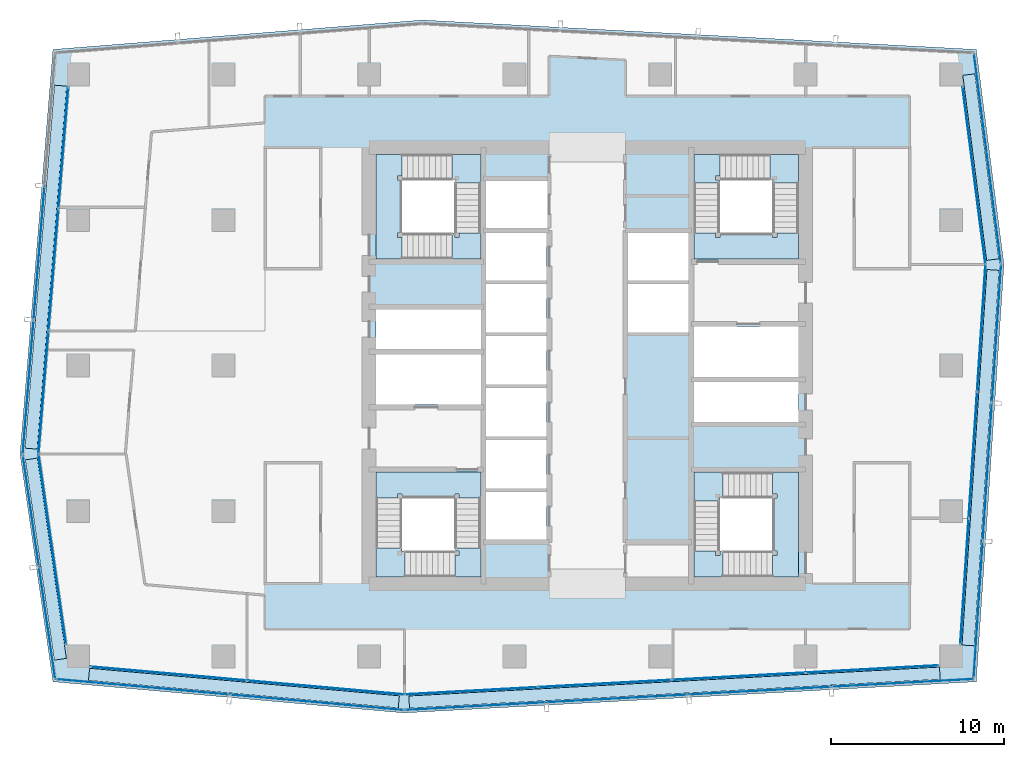
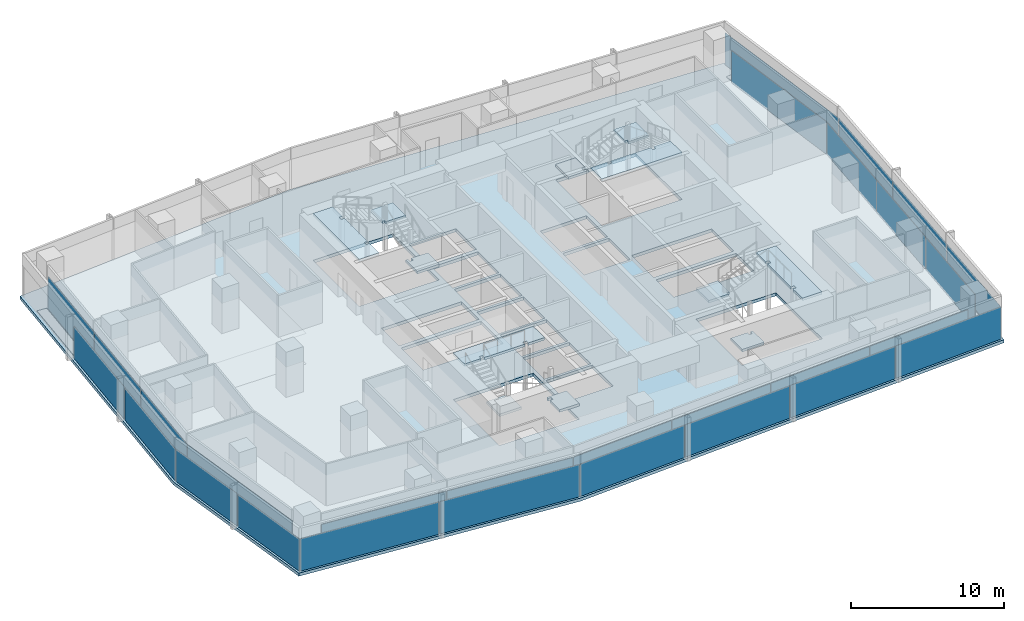
# One storey, part 21 of 29: 34 plates, 13 slabs, 16 elements without a shape of their own.
"""IFC4 building model written with IfcOpenShell, lengths in metres."""

import ifcopenshell
import ifcopenshell.guid

model = None  # the IFC model being written
_history = None  # IfcOwnerHistory: only IFC2X3 demands one
_inside = {}  # id of a spatial element -> (the spatial element, [elements in it])
_under = {}  # id of a project, library or spatial element -> (it, [spatial elements below it])
_declared = {}  # id of a project -> (the project, [libraries it declares])
_typed = {}  # id of a type object -> (the type object, [elements of that type])
_made_of = {}  # id of a material, layer set ... -> (it, [elements and type objects made of it])


def new_model(schema):
    """Start an empty IFC model of exactly this schema.

    Asked for "IFC4X3", IfcOpenShell would pick the latest addendum, in which some entities
    have other attributes; the version numbers below select the first issue.
    IFC2X3 requires an IfcOwnerHistory on every rooted entity: one is made here for all.
    """
    global model, _history
    if schema == "IFC4X3":
        model = ifcopenshell.file(schema_version=(4, 3, 0, 0))
    else:
        model = ifcopenshell.file(schema=schema)
    _inside.clear()
    _under.clear()
    _declared.clear()
    _typed.clear()
    _made_of.clear()
    _history = None
    if model.schema == "IFC2X3":
        org = make("IfcOrganization", Name="unknown")
        user = make(
            "IfcPersonAndOrganization",
            ThePerson=make("IfcPerson", FamilyName="unknown"),
            TheOrganization=org,
        )
        app = make(
            "IfcApplication",
            ApplicationDeveloper=org,
            Version="unknown",
            ApplicationFullName="unknown",
            ApplicationIdentifier="unknown",
        )
        _history = make(
            "IfcOwnerHistory",
            OwningUser=user,
            OwningApplication=app,
            ChangeAction="ADDED",
            CreationDate=0,
        )
    return model


def make(cls, **values):
    """One entity of the class cls with the attributes given. An attribute that is None is left unset."""
    return model.create_entity(
        cls, **{name: value for name, value in values.items() if value is not None}
    )


def rooted(cls, **values):
    """An entity with a GlobalId (a new one), such as an element, a storey or a relation."""
    return make(cls, GlobalId=ifcopenshell.guid.new(), OwnerHistory=_history, **values)


def si_unit(unit_type, name, prefix=None):
    """IfcSIUnit, for example si_unit("LENGTHUNIT", "METRE", prefix="MILLI")."""
    return make("IfcSIUnit", UnitType=unit_type, Prefix=prefix, Name=name)


def assignment(units):
    """IfcUnitAssignment: the units of a project."""
    return None if units is None else make("IfcUnitAssignment", Units=units)


def point(xyz):
    """IfcCartesianPoint."""
    return None if xyz is None else make("IfcCartesianPoint", Coordinates=xyz)


def direction(xyz):
    """IfcDirection."""
    return None if xyz is None else make("IfcDirection", DirectionRatios=xyz)


def frame(location, z_axis=None, x_axis=None):
    """IfcAxis2Placement3D, a coordinate frame: its origin and axes. An axis left out is left unset."""
    return make(
        "IfcAxis2Placement3D",
        Location=point(location),
        Axis=direction(z_axis),
        RefDirection=direction(x_axis),
    )


def frame_2d(location, x_axis=None):
    """IfcAxis2Placement2D, a coordinate frame in the plane: its origin and x axis."""
    return make(
        "IfcAxis2Placement2D", Location=point(location), RefDirection=direction(x_axis)
    )


def origin():
    """The frame at (0, 0, 0) with its axes left unset."""
    return frame((0.0, 0.0, 0.0))


def origin_2d():
    """The frame at (0, 0) in the plane with its x axis left unset."""
    return frame_2d((0.0, 0.0))


def place(relative_to, where):
    """IfcLocalPlacement: puts the frame where relative to a parent placement (None: the world)."""
    return make(
        "IfcLocalPlacement", PlacementRelTo=relative_to, RelativePlacement=where
    )


def context(
    kind, dimensions, precision=None, world=None, true_north=None, identifier=None
):
    """IfcGeometricRepresentationContext, for example the 3D "Model" context."""
    return make(
        "IfcGeometricRepresentationContext",
        ContextIdentifier=identifier,
        ContextType=kind,
        CoordinateSpaceDimension=dimensions,
        Precision=precision,
        WorldCoordinateSystem=world,
        TrueNorth=true_north,
    )


def subcontext(parent, identifier, kind, view, scale=None):
    """IfcGeometricRepresentationSubContext, for example "Body" below "Model"."""
    return make(
        "IfcGeometricRepresentationSubContext",
        ContextIdentifier=identifier,
        ContextType=kind,
        ParentContext=parent,
        TargetScale=scale,
        TargetView=view,
    )


def project(units=None, contexts=None):
    """IfcProject with its units and contexts."""
    return rooted(
        "IfcProject",
        Name="project",
        RepresentationContexts=contexts,
        UnitsInContext=assignment(units),
    )


def spatial(cls, under=None, at=None, **own):
    """A site, building, storey or space (cls), placed at a placement, below another one or the project."""
    s = rooted(cls, ObjectPlacement=at, **own)
    if under is not None:
        _under.setdefault(under.id(), (under, []))[1].append(s)
    return s


def polyline(points):
    """IfcPolyline through the points."""
    return make("IfcPolyline", Points=[point(p) for p in points])


def profile(cls, at=None, kind="AREA", **sizes):
    """A parametric profile (cls). Its sizes go by their IFC names, for example OverallWidth=200.0."""
    return make(cls, ProfileType=kind, Position=at, **sizes)


def rectangle(**sizes):
    """IfcRectangleProfileDef."""
    return profile("IfcRectangleProfileDef", **sizes)


def outline(outer, holes=None, kind="AREA"):
    """IfcArbitraryClosedProfileDef: a profile drawn as a closed curve; with holes, ...WithVoids."""
    if holes is None:
        return make("IfcArbitraryClosedProfileDef", ProfileType=kind, OuterCurve=outer)
    return make(
        "IfcArbitraryProfileDefWithVoids",
        ProfileType=kind,
        OuterCurve=outer,
        InnerCurves=holes,
    )


def extrude(swept, where, along, depth):
    """IfcExtrudedAreaSolid: the profile swept, set in the frame where, extruded along a direction by depth."""
    return make(
        "IfcExtrudedAreaSolid",
        SweptArea=swept,
        Position=where,
        ExtrudedDirection=direction(along),
        Depth=depth,
    )


def shape(context_of_items, identifier, shape_type, items):
    """IfcShapeRepresentation: the items that make up one representation, for example the "Body"."""
    return make(
        "IfcShapeRepresentation",
        ContextOfItems=context_of_items,
        RepresentationIdentifier=identifier,
        RepresentationType=shape_type,
        Items=items,
    )


def material(Name=None, Category=None):
    """IfcMaterial."""
    return make("IfcMaterial", Name=Name, Category=Category)


def layer(
    of_material, thickness, ventilated=None, Name=None, Category=None, Priority=None
):
    """IfcMaterialLayer: one layer of a wall or slab, of a material (None: an air gap)."""
    return make(
        "IfcMaterialLayer",
        Material=of_material,
        LayerThickness=thickness,
        IsVentilated=ventilated,
        Name=Name,
        Category=Category,
        Priority=Priority,
    )


def layer_set(layers, Name=None):
    """IfcMaterialLayerSet."""
    return make("IfcMaterialLayerSet", MaterialLayers=layers, LayerSetName=Name)


def made_of(thing, what):
    """Note that an element or type object is made of a material, layer set ...; save() writes the relation."""
    if what is not None:
        _made_of.setdefault(what.id(), (what, []))[1].append(thing)
    return thing


def type_object(cls, material=None, **own):
    """A type object (cls), such as IfcWallType, which elements share."""
    return made_of(rooted(cls, **own), material)


def element(
    cls,
    number,
    at=None,
    inside=None,
    cuts=None,
    type_object=None,
    material=None,
    context=None,
    identifier="Body",
    shape_type=None,
    held_by="IfcProductDefinitionShape",
    body=None,
    shapes=None,
    **own,
):
    """One element of the class cls, such as IfcWall. Its Tag is "e" and its number.

    at: its placement. inside: the storey or other place that contains it. cuts: it is an
    opening in that element (IfcRelVoidsElement). A single representation is given by context,
    identifier, shape_type and body (its items); several are given by shapes. held_by: the class
    of the entity that holds the representations. save() writes the other relations.
    """
    e = rooted(cls, Tag="e%d" % number, ObjectPlacement=at, **own)
    if body is not None:
        shapes = [shape(context, identifier, shape_type, body)]
    if shapes is not None:
        e.Representation = make(held_by, Representations=shapes)
    if inside is not None:
        _inside.setdefault(inside.id(), (inside, []))[1].append(e)
    if cuts is not None:
        rooted(
            "IfcRelVoidsElement", RelatingBuildingElement=cuts, RelatedOpeningElement=e
        )
    if type_object is not None:
        _typed.setdefault(type_object.id(), (type_object, []))[1].append(e)
    return made_of(e, material)


def aggregate(whole, parts):
    """IfcRelAggregates: a whole, such as a stair, and the parts it consists of."""
    return rooted("IfcRelAggregates", RelatingObject=whole, RelatedObjects=parts)


def save(model, path):
    """Write the relations noted so far, then the file.

    IfcRelAggregates (storeys below a building ...), IfcRelContainedInSpatialStructure (elements
    in a storey), IfcRelDefinesByType, IfcRelAssociatesMaterial and IfcRelDeclares: one each for
    every whole, place, type object, material and project.
    """
    for whole, parts in _under.values():
        aggregate(whole, parts)
    for where, things in _inside.values():
        rooted(
            "IfcRelContainedInSpatialStructure",
            RelatedElements=things,
            RelatingStructure=where,
        )
    for kind, things in _typed.values():
        rooted("IfcRelDefinesByType", RelatedObjects=things, RelatingType=kind)
    for what, things in _made_of.values():
        rooted("IfcRelAssociatesMaterial", RelatedObjects=things, RelatingMaterial=what)
    for by, libraries in _declared.values():
        rooted("IfcRelDeclares", RelatingContext=by, RelatedDefinitions=libraries)
    model.write(path)


model = new_model("IFC4")

# Units and contexts
model_context = context("Model", 3, precision=1e-05, world=origin(), true_north=direction((0.0, 1.0)))
body_context = subcontext(model_context, "Body", "Model", "MODEL_VIEW")
ifc_project = project(units=[si_unit("LENGTHUNIT", "METRE"), si_unit("AREAUNIT", "SQUARE_METRE"), si_unit("VOLUMEUNIT", "CUBIC_METRE"), si_unit("PLANEANGLEUNIT", "RADIAN"), si_unit("MASSUNIT", "GRAM", prefix="KILO")], contexts=[model_context])

# Site, building, storey
site_placement = place(None, origin())
site = spatial("IfcSite", under=ifc_project, at=site_placement, CompositionType="ELEMENT")
building_placement = place(site_placement, origin())
building = spatial("IfcBuilding", under=site, at=building_placement, Name="Rekha Terrace Tower", CompositionType="ELEMENT")
storey_placement = place(building_placement, frame((0.0, 0.0, 257.60009765625)))
storey = spatial("IfcBuildingStorey", under=building, at=storey_placement, Name="L65", CompositionType="ELEMENT", Elevation=257.60009765625)

# Curtain wall, plates
ifc_material_1 = material(Name="Aluminium framing", Category="aluminium")
curtain_wall_type_1 = type_object("IfcCurtainWallType", Name="CW1 double skin inner glazing", PredefinedType="USERDEFINED", material=ifc_material_1)
curtain_wall_1_placement = place(storey_placement, origin())
curtain_wall_1 = element("IfcCurtainWall", 1, at=curtain_wall_1_placement, inside=storey, type_object=curtain_wall_type_1, Name="CW1 double skin inner glazing", ObjectType="DOUBLE SKIN INNER GLAZING", PredefinedType="USERDEFINED")
ifc_material_2 = material(Name="Double-glazed low-e unit 32", Category="glass")
ifc_layer_1 = layer(ifc_material_2, 0.031982421875)
ifc_layer_set_1 = layer_set([ifc_layer_1], Name="Double-glazed low-e unit 32")
plate_type_1 = type_object("IfcPlateType", Name="CW1 jumbo vision panel, double-glazed low-e unit 32", PredefinedType="CURTAIN_PANEL", material=ifc_layer_set_1)
plate_1_placement = place(storey_placement, frame((13.62939453125, 15.820556640625, -0.000244140625), z_axis=(0.0, 0.0, 1.0), x_axis=(0.996074182663, -0.088522441405, 0.0)))
plate_1 = element("IfcPlate", 2, at=plate_1_placement, type_object=plate_type_1, Name="CW1 panel 1.1", PredefinedType="CURTAIN_PANEL", context=body_context, shape_type="SweptSolid", body=[
    extrude(rectangle(XDim=9.010986328125, YDim=0.031982421875, at=origin_2d()), origin(), (0.0, 0.0, 1.0), 2.60009765625),
])
plate_2_placement = place(storey_placement, frame((22.701904296875, 15.01416015625, -0.000244140625), z_axis=(0.0, 0.0, 1.0), x_axis=(0.996074182663, -0.088522441405, 0.0)))
plate_2 = element("IfcPlate", 3, at=plate_2_placement, type_object=plate_type_1, Name="CW1 panel 2.1", PredefinedType="CURTAIN_PANEL", context=body_context, shape_type="SweptSolid", body=[
    extrude(rectangle(XDim=9.075927734375, YDim=0.031982421875, at=origin_2d()), origin(), (0.0, 0.0, 1.0), 2.60009765625),
])
aggregate(curtain_wall_1, [plate_1, plate_2])

curtain_wall_2_placement = place(storey_placement, origin())
curtain_wall_2 = element("IfcCurtainWall", 4, at=curtain_wall_2_placement, inside=storey, type_object=curtain_wall_type_1, Name="CW1 double skin inner glazing", ObjectType="DOUBLE SKIN INNER GLAZING", PredefinedType="USERDEFINED")
plate_3_placement = place(storey_placement, frame((31.101318359375, 14.82373046875, -0.000244140625), z_axis=(0.0, 0.0, 1.0), x_axis=(0.998519828159, 0.054388903036, 0.0)))
plate_3 = element("IfcPlate", 5, at=plate_3_placement, type_object=plate_type_1, Name="CW1 panel 1.1", PredefinedType="CURTAIN_PANEL", context=body_context, shape_type="SweptSolid", body=[
    extrude(rectangle(XDim=7.6396484375, YDim=0.031982421875, at=origin_2d()), origin(), (0.0, 0.0, 1.0), 2.60009765625),
])
plate_4_placement = place(storey_placement, frame((38.810791015625, 15.243896484375, -0.000244140625), z_axis=(0.0, 0.0, 1.0), x_axis=(0.998519828159, 0.054388903036, 0.0)))
plate_4 = element("IfcPlate", 6, at=plate_4_placement, type_object=plate_type_1, Name="CW1 panel 2.1", PredefinedType="CURTAIN_PANEL", context=body_context, shape_type="SweptSolid", body=[
    extrude(rectangle(XDim=7.672119140625, YDim=0.031982421875, at=origin_2d()), origin(), (0.0, 0.0, 1.0), 2.60009765625),
])
plate_5_placement = place(storey_placement, frame((46.536376953125, 15.66455078125, -0.000244140625), z_axis=(0.0, 0.0, 1.0), x_axis=(0.998519828159, 0.054388903036, 0.0)))
plate_5 = element("IfcPlate", 7, at=plate_5_placement, type_object=plate_type_1, Name="CW1 panel 3.1", PredefinedType="CURTAIN_PANEL", context=body_context, shape_type="SweptSolid", body=[
    extrude(rectangle(XDim=7.672119140625, YDim=0.031982421875, at=origin_2d()), origin(), (0.0, 0.0, 1.0), 2.60009765625),
])
plate_6_placement = place(storey_placement, frame((54.245849609375, 16.08447265625, -0.000244140625), z_axis=(0.0, 0.0, 1.0), x_axis=(0.998519828159, 0.054388903036, 0.0)))
plate_6 = element("IfcPlate", 8, at=plate_6_placement, type_object=plate_type_1, Name="CW1 panel 4.1", PredefinedType="CURTAIN_PANEL", context=body_context, shape_type="SweptSolid", body=[
    extrude(rectangle(XDim=7.6396484375, YDim=0.031982421875, at=origin_2d()), origin(), (0.0, 0.0, 1.0), 2.60009765625),
])
aggregate(curtain_wall_2, [plate_3, plate_4, plate_5, plate_6])

curtain_wall_3_placement = place(storey_placement, origin())
curtain_wall_3 = element("IfcCurtainWall", 9, at=curtain_wall_3_placement, inside=storey, type_object=curtain_wall_type_1, Name="CW1 double skin inner glazing", ObjectType="DOUBLE SKIN INNER GLAZING", PredefinedType="USERDEFINED")
plate_7_placement = place(storey_placement, frame((59.57275390625, 21.147705078125, -0.000244140625), z_axis=(0.0, 0.0, 1.0), x_axis=(0.066271589649, 0.997801621769, 0.0)))
plate_7 = element("IfcPlate", 10, at=plate_7_placement, type_object=plate_type_1, Name="CW1 panel 1.1", PredefinedType="CURTAIN_PANEL", context=body_context, shape_type="SweptSolid", body=[
    extrude(rectangle(XDim=7.228759765625, YDim=0.031982421875, at=origin_2d()), origin(), (0.0, 0.0, 1.0), 2.60009765625),
])
plate_8_placement = place(storey_placement, frame((60.05712890625, 28.441650390625, -0.000244140625), z_axis=(0.0, 0.0, 1.0), x_axis=(0.066271589649, 0.997801621769, 0.0)))
plate_8 = element("IfcPlate", 11, at=plate_8_placement, type_object=plate_type_1, Name="CW1 panel 2.1", PredefinedType="CURTAIN_PANEL", context=body_context, shape_type="SweptSolid", body=[
    extrude(rectangle(XDim=7.261474609375, YDim=0.031982421875, at=origin_2d()), origin(), (0.0, 0.0, 1.0), 2.60009765625),
])
plate_9_placement = place(storey_placement, frame((60.543701171875, 35.76806640625, -0.000244140625), z_axis=(0.0, 0.0, 1.0), x_axis=(0.066271589649, 0.997801621769, 0.0)))
plate_9 = element("IfcPlate", 12, at=plate_9_placement, type_object=plate_type_1, Name="CW1 panel 3.1", PredefinedType="CURTAIN_PANEL", context=body_context, shape_type="SweptSolid", body=[
    extrude(rectangle(XDim=7.2939453125, YDim=0.031982421875, at=origin_2d()), origin(), (0.0, 0.0, 1.0), 2.60009765625),
])
aggregate(curtain_wall_3, [plate_7, plate_8, plate_9])

# Curtain wall, plate
curtain_wall_4_placement = place(storey_placement, origin())
curtain_wall_4 = element("IfcCurtainWall", 13, at=curtain_wall_4_placement, inside=storey, type_object=curtain_wall_type_1, Name="CW1 double skin inner glazing", ObjectType="DOUBLE SKIN INNER GLAZING", PredefinedType="USERDEFINED")
plate_10_placement = place(storey_placement, frame((60.119873046875, 44.56884765625, -0.000244140625), z_axis=(0.0, 0.0, 1.0), x_axis=(-0.127869904766, 0.991790949472, 0.0)))
plate_10 = element("IfcPlate", 14, at=plate_10_placement, type_object=plate_type_1, Name="CW1 panel 1.1", PredefinedType="CURTAIN_PANEL", context=body_context, shape_type="SweptSolid", body=[
    extrude(rectangle(XDim=10.27880859375, YDim=0.031982421875, at=origin_2d()), origin(), (0.0, 0.0, 1.0), 2.60009765625),
])
aggregate(curtain_wall_4, [plate_10])

# Curtain wall, plates
curtain_wall_5_placement = place(storey_placement, origin())
curtain_wall_5 = element("IfcCurtainWall", 15, at=curtain_wall_5_placement, inside=storey, type_object=curtain_wall_type_1, Name="CW1 double skin inner glazing", ObjectType="DOUBLE SKIN INNER GLAZING", PredefinedType="USERDEFINED")
plate_11_placement = place(storey_placement, frame((7.5517578125, 46.173095703125, -0.000244140625), z_axis=(0.0, 0.0, 1.0), x_axis=(-0.081067906781, -0.996708580524, 0.0)))
plate_11 = element("IfcPlate", 16, at=plate_11_placement, type_object=plate_type_1, Name="CW1 panel 1.1", PredefinedType="CURTAIN_PANEL", context=body_context, shape_type="SweptSolid", body=[
    extrude(rectangle(XDim=6.9921875, YDim=0.031982421875, at=origin_2d()), origin(), (0.0, 0.0, 1.0), 2.60009765625),
])
plate_12_placement = place(storey_placement, frame((6.978271484375, 39.123046875, -0.000244140625), z_axis=(0.0, 0.0, 1.0), x_axis=(-0.081067906781, -0.996708580524, 0.0)))
plate_12 = element("IfcPlate", 17, at=plate_12_placement, type_object=plate_type_1, Name="CW1 panel 2.1", PredefinedType="CURTAIN_PANEL", context=body_context, shape_type="SweptSolid", body=[
    extrude(rectangle(XDim=7.024658203125, YDim=0.031982421875, at=origin_2d()), origin(), (0.0, 0.0, 1.0), 2.60009765625),
])
plate_13_placement = place(storey_placement, frame((6.40234375, 32.040283203125, -0.000244140625), z_axis=(0.0, 0.0, 1.0), x_axis=(-0.081067906781, -0.996708580524, 0.0)))
plate_13 = element("IfcPlate", 18, at=plate_13_placement, type_object=plate_type_1, Name="CW1 panel 3.1", PredefinedType="CURTAIN_PANEL", context=body_context, shape_type="SweptSolid", body=[
    extrude(rectangle(XDim=7.057373046875, YDim=0.031982421875, at=origin_2d()), origin(), (0.0, 0.0, 1.0), 2.60009765625),
])
aggregate(curtain_wall_5, [plate_11, plate_12, plate_13])

# Curtain wall, plate
curtain_wall_6_placement = place(storey_placement, origin())
curtain_wall_6 = element("IfcCurtainWall", 19, at=curtain_wall_6_placement, inside=storey, type_object=curtain_wall_type_1, Name="CW1 double skin inner glazing", ObjectType="DOUBLE SKIN INNER GLAZING", PredefinedType="USERDEFINED")
plate_14_placement = place(storey_placement, frame((6.915771484375, 22.994140625, -0.000244140625), z_axis=(0.0, 0.0, 1.0), x_axis=(0.143108322643, -0.989707031394, 0.0)))
plate_14 = element("IfcPlate", 20, at=plate_14_placement, type_object=plate_type_1, Name="CW1 panel 1.1", PredefinedType="CURTAIN_PANEL", context=body_context, shape_type="SweptSolid", body=[
    extrude(rectangle(XDim=11.043212890625, YDim=0.031982421875, at=origin_2d()), origin(), (0.0, 0.0, 1.0), 2.60009765625),
])
aggregate(curtain_wall_6, [plate_14])

# Curtain wall, plates
curtain_wall_type_2 = type_object("IfcCurtainWallType", Name="CW2 double skin outer glazing", PredefinedType="USERDEFINED", material=ifc_material_1)
curtain_wall_7_placement = place(storey_placement, origin())
curtain_wall_7 = element("IfcCurtainWall", 21, at=curtain_wall_7_placement, inside=storey, type_object=curtain_wall_type_2, Name="CW2 double skin outer glazing", ObjectType="DOUBLE SKIN OUTER GLAZING", PredefinedType="USERDEFINED")
ifc_material_3 = material(Name="Toughened single glazing 12", Category="glass")
ifc_layer_2 = layer(ifc_material_3, 0.011962890625)
ifc_layer_set_2 = layer_set([ifc_layer_2], Name="Toughened single glazing 12")
plate_type_2 = type_object("IfcPlateType", Name="CW2 jumbo vision panel, toughened single glazing 12", PredefinedType="CURTAIN_PANEL", material=ifc_layer_set_2)
plate_15_placement = place(storey_placement, frame((12.139404296875, 15.049560546875, -0.000244140625), z_axis=(0.0, 0.0, 1.0), x_axis=(0.996074182658, -0.088522441457, 0.0)))
plate_15 = element("IfcPlate", 22, at=plate_15_placement, type_object=plate_type_2, Name="CW2 panel 1.1", PredefinedType="CURTAIN_PANEL", context=body_context, shape_type="SweptSolid", body=[
    extrude(rectangle(XDim=9.977783203125, YDim=0.011962890625, at=origin_2d()), origin(), (0.0, 0.0, 1.0), 2.60009765625),
])
plate_16_placement = place(storey_placement, frame((22.197509765625, 14.155517578125, -0.000244140625), z_axis=(0.0, 0.0, 1.0), x_axis=(0.996074182658, -0.088522441457, 0.0)))
plate_16 = element("IfcPlate", 23, at=plate_16_placement, type_object=plate_type_2, Name="CW2 panel 2.1", PredefinedType="CURTAIN_PANEL", context=body_context, shape_type="SweptSolid", body=[
    extrude(rectangle(XDim=10.057861328125, YDim=0.011962890625, at=origin_2d()), origin(), (0.0, 0.0, 1.0), 2.60009765625),
])
aggregate(curtain_wall_7, [plate_15, plate_16])

curtain_wall_8_placement = place(storey_placement, origin())
curtain_wall_8 = element("IfcCurtainWall", 24, at=curtain_wall_8_placement, inside=storey, type_object=curtain_wall_type_2, Name="CW2 double skin outer glazing", ObjectType="DOUBLE SKIN OUTER GLAZING", PredefinedType="USERDEFINED")
plate_17_placement = place(storey_placement, frame((31.33837890625, 13.935546875, -0.000244140625), z_axis=(0.0, 0.0, 1.0), x_axis=(0.998519828157, 0.054388903071, 0.0)))
plate_17 = element("IfcPlate", 25, at=plate_17_placement, type_object=plate_type_2, Name="CW2 panel 1.1", PredefinedType="CURTAIN_PANEL", context=body_context, shape_type="SweptSolid", body=[
    extrude(rectangle(XDim=8.115478515625, YDim=0.011962890625, at=origin_2d()), origin(), (0.0, 0.0, 1.0), 2.60009765625),
])
plate_18_placement = place(storey_placement, frame((39.54150390625, 14.38232421875, -0.000244140625), z_axis=(0.0, 0.0, 1.0), x_axis=(0.998519828157, 0.054388903071, 0.0)))
plate_18 = element("IfcPlate", 26, at=plate_18_placement, type_object=plate_type_2, Name="CW2 panel 2.1", PredefinedType="CURTAIN_PANEL", context=body_context, shape_type="SweptSolid", body=[
    extrude(rectangle(XDim=8.155517578125, YDim=0.011962890625, at=origin_2d()), origin(), (0.0, 0.0, 1.0), 2.60009765625),
])
plate_19_placement = place(storey_placement, frame((47.764892578125, 14.830078125, -0.000244140625), z_axis=(0.0, 0.0, 1.0), x_axis=(0.998519828157, 0.054388903071, 0.0)))
plate_19 = element("IfcPlate", 27, at=plate_19_placement, type_object=plate_type_2, Name="CW2 panel 3.1", PredefinedType="CURTAIN_PANEL", context=body_context, shape_type="SweptSolid", body=[
    extrude(rectangle(XDim=8.155517578125, YDim=0.011962890625, at=origin_2d()), origin(), (0.0, 0.0, 1.0), 2.60009765625),
])
plate_20_placement = place(storey_placement, frame((56.008056640625, 15.279296875, -0.000244140625), z_axis=(0.0, 0.0, 1.0), x_axis=(0.998519828157, 0.054388903071, 0.0)))
plate_20 = element("IfcPlate", 28, at=plate_20_placement, type_object=plate_type_2, Name="CW2 panel 4.1", PredefinedType="CURTAIN_PANEL", context=body_context, shape_type="SweptSolid", body=[
    extrude(rectangle(XDim=8.195556640625, YDim=0.011962890625, at=origin_2d()), origin(), (0.0, 0.0, 1.0), 2.60009765625),
])
aggregate(curtain_wall_8, [plate_17, plate_18, plate_19, plate_20])

curtain_wall_9_placement = place(storey_placement, origin())
curtain_wall_9 = element("IfcCurtainWall", 29, at=curtain_wall_9_placement, inside=storey, type_object=curtain_wall_type_2, Name="CW2 double skin outer glazing", ObjectType="DOUBLE SKIN OUTER GLAZING", PredefinedType="USERDEFINED")
plate_21_placement = place(storey_placement, frame((60.365966796875, 19.5107421875, -0.000244140625), z_axis=(0.0, 0.0, 1.0), x_axis=(0.066271589649, 0.997801621769, 0.0)))
plate_21 = element("IfcPlate", 30, at=plate_21_placement, type_object=plate_type_2, Name="CW2 panel 1.1", PredefinedType="CURTAIN_PANEL", context=body_context, shape_type="SweptSolid", body=[
    extrude(rectangle(XDim=7.875244140625, YDim=0.011962890625, at=origin_2d()), origin(), (0.0, 0.0, 1.0), 2.60009765625),
])
plate_22_placement = place(storey_placement, frame((60.89453125, 27.468505859375, -0.000244140625), z_axis=(0.0, 0.0, 1.0), x_axis=(0.066271589649, 0.997801621769, 0.0)))
plate_22 = element("IfcPlate", 31, at=plate_22_placement, type_object=plate_type_2, Name="CW2 panel 2.1", PredefinedType="CURTAIN_PANEL", context=body_context, shape_type="SweptSolid", body=[
    extrude(rectangle(XDim=7.915283203125, YDim=0.011962890625, at=origin_2d()), origin(), (0.0, 0.0, 1.0), 2.60009765625),
])
plate_23_placement = place(storey_placement, frame((61.42578125, 35.466064453125, -0.000244140625), z_axis=(0.0, 0.0, 1.0), x_axis=(0.066271589649, 0.997801621769, 0.0)))
plate_23 = element("IfcPlate", 32, at=plate_23_placement, type_object=plate_type_2, Name="CW2 panel 3.1", PredefinedType="CURTAIN_PANEL", context=body_context, shape_type="SweptSolid", body=[
    extrude(rectangle(XDim=7.955322265625, YDim=0.011962890625, at=origin_2d()), origin(), (0.0, 0.0, 1.0), 2.60009765625),
])
aggregate(curtain_wall_9, [plate_21, plate_22, plate_23])

# Curtain wall, plate
curtain_wall_10_placement = place(storey_placement, origin())
curtain_wall_10 = element("IfcCurtainWall", 33, at=curtain_wall_10_placement, inside=storey, type_object=curtain_wall_type_2, Name="CW2 double skin outer glazing", ObjectType="DOUBLE SKIN OUTER GLAZING", PredefinedType="USERDEFINED")
plate_24_placement = place(storey_placement, frame((60.89892578125, 45.566162109375, -0.000244140625), z_axis=(0.0, 0.0, 1.0), x_axis=(-0.12786990487, 0.991790949459, 0.0)))
plate_24 = element("IfcPlate", 34, at=plate_24_placement, type_object=plate_type_2, Name="CW2 panel 1.1", PredefinedType="CURTAIN_PANEL", context=body_context, shape_type="SweptSolid", body=[
    extrude(rectangle(XDim=12.203857421875, YDim=0.011962890625, at=origin_2d()), origin(), (0.0, 0.0, 1.0), 2.60009765625),
])
aggregate(curtain_wall_10, [plate_24])

# Curtain wall, plates
curtain_wall_11_placement = place(storey_placement, origin())
curtain_wall_11 = element("IfcCurtainWall", 35, at=curtain_wall_11_placement, inside=storey, type_object=curtain_wall_type_2, Name="CW2 double skin outer glazing", ObjectType="DOUBLE SKIN OUTER GLAZING", PredefinedType="USERDEFINED")
plate_25_placement = place(storey_placement, frame((6.15478515625, 40.09814453125, -0.000244140625), z_axis=(0.0, 0.0, 1.0), x_axis=(-0.081067906816, -0.996708580521, 0.0)))
plate_25 = element("IfcPlate", 36, at=plate_25_placement, type_object=plate_type_2, Name="CW2 panel 2.1", PredefinedType="CURTAIN_PANEL", context=body_context, shape_type="SweptSolid", body=[
    extrude(rectangle(XDim=7.680908203125, YDim=0.011962890625, at=origin_2d()), origin(), (0.0, 0.0, 1.0), 2.60009765625),
])
plate_26_placement = place(storey_placement, frame((5.52392578125, 32.3427734375, -0.000244140625), z_axis=(0.0, 0.0, 1.0), x_axis=(-0.081067906816, -0.996708580521, 0.0)))
plate_26 = element("IfcPlate", 37, at=plate_26_placement, type_object=plate_type_2, Name="CW2 panel 3.1", PredefinedType="CURTAIN_PANEL", context=body_context, shape_type="SweptSolid", body=[
    extrude(rectangle(XDim=7.720947265625, YDim=0.011962890625, at=origin_2d()), origin(), (0.0, 0.0, 1.0), 2.60009765625),
])
aggregate(curtain_wall_11, [plate_25, plate_26])

curtain_wall_12_placement = place(storey_placement, origin())
curtain_wall_12 = element("IfcCurtainWall", 38, at=curtain_wall_12_placement, inside=storey, type_object=curtain_wall_type_2, Name="CW2 double skin outer glazing", ObjectType="DOUBLE SKIN OUTER GLAZING", PredefinedType="USERDEFINED")
plate_27_placement = place(storey_placement, frame((5.68359375, 25.22607421875, -0.000244140625), z_axis=(0.0, 0.0, 1.0), x_axis=(0.143108322678, -0.989707031389, 0.0)))
plate_27 = element("IfcPlate", 39, at=plate_27_placement, type_object=plate_type_2, Name="CW2 panel 1.1", PredefinedType="CURTAIN_PANEL", context=body_context, shape_type="SweptSolid", body=[
    extrude(rectangle(XDim=6.446044921875, YDim=0.011962890625, at=origin_2d()), origin(), (0.0, 0.0, 1.0), 2.60009765625),
])
plate_28_placement = place(storey_placement, frame((6.623291015625, 18.7275390625, -0.000244140625), z_axis=(0.0, 0.0, 1.0), x_axis=(0.143108322678, -0.989707031389, 0.0)))
plate_28 = element("IfcPlate", 40, at=plate_28_placement, type_object=plate_type_2, Name="CW2 panel 2.1", PredefinedType="CURTAIN_PANEL", context=body_context, shape_type="SweptSolid", body=[
    extrude(rectangle(XDim=6.526123046875, YDim=0.011962890625, at=origin_2d()), origin(), (0.0, 0.0, 1.0), 2.60009765625),
])
aggregate(curtain_wall_12, [plate_27, plate_28])

# Plates
ifc_material_4 = material(Name="Galvanised steel open grating", Category="steel")
ifc_layer_3 = layer(ifc_material_4, 0.050048828125)
ifc_layer_set_3 = layer_set([ifc_layer_3], Name="Galvanised steel open grating")
plate_type_3 = type_object("IfcPlateType", Name="GT1 cavity walkway grating 50", PredefinedType="USERDEFINED", material=ifc_layer_set_3)
plate_29_placement = place(storey_placement, frame((17.974853515625, 14.982666015625, 0.0), z_axis=(0.0, 0.0, 1.0), x_axis=(0.99607418266, -0.08852244144, 0.0)))
element("IfcPlate", 41, at=plate_29_placement, inside=storey, type_object=plate_type_3, Name="Cavity walkway grating", ObjectType="CAVITY WALKWAY GRATING", PredefinedType="USERDEFINED", context=body_context, shape_type="SweptSolid", body=[
    extrude(rectangle(XDim=17.9521484375, YDim=0.705078125, at=origin_2d()), origin(), (0.0, 0.0, 1.0), 0.050048828125),
])
plate_30_placement = place(storey_placement, frame((42.830322265625, 15.011962890625, 0.0), z_axis=(0.0, 0.0, 1.0), x_axis=(0.998519828157, 0.054388903071, 0.0)))
element("IfcPlate", 42, at=plate_30_placement, inside=storey, type_object=plate_type_3, Name="Cavity walkway grating", ObjectType="CAVITY WALKWAY GRATING", PredefinedType="USERDEFINED", context=body_context, shape_type="SweptSolid", body=[
    extrude(rectangle(XDim=30.677978515625, YDim=0.705078125, at=origin_2d()), origin(), (0.0, 0.0, 1.0), 0.050048828125),
])
plate_31_placement = place(storey_placement, frame((60.497802734375, 28.284912109375, 0.0), z_axis=(0.0, 0.0, 1.0), x_axis=(0.066271589649, 0.997801621769, 0.0)))
element("IfcPlate", 43, at=plate_31_placement, inside=storey, type_object=plate_type_3, Name="Cavity walkway grating", ObjectType="CAVITY WALKWAY GRATING", PredefinedType="USERDEFINED", context=body_context, shape_type="SweptSolid", body=[
    extrude(rectangle(XDim=21.72119140625, YDim=0.705078125, at=origin_2d()), origin(), (0.0, 0.0, 1.0), 0.050048828125),
])
plate_32_placement = place(storey_placement, frame((60.510498046875, 45.058837890625, 0.0), z_axis=(0.0, 0.0, 1.0), x_axis=(-0.127869904852, 0.991790949461, 0.0)))
element("IfcPlate", 44, at=plate_32_placement, inside=storey, type_object=plate_type_3, Name="Cavity walkway grating", ObjectType="CAVITY WALKWAY GRATING", PredefinedType="USERDEFINED", context=body_context, shape_type="SweptSolid", body=[
    extrude(rectangle(XDim=10.76904296875, YDim=0.705078125, at=origin_2d()), origin(), (0.0, 0.0, 1.0), 0.050048828125),
])
plate_33_placement = place(storey_placement, frame((6.5400390625, 39.28369140625, 0.0), z_axis=(0.0, 0.0, 1.0), x_axis=(-0.081067906798, -0.996708580523, 0.0)))
element("IfcPlate", 45, at=plate_33_placement, inside=storey, type_object=plate_type_3, Name="Cavity walkway grating", ObjectType="CAVITY WALKWAY GRATING", PredefinedType="USERDEFINED", context=body_context, shape_type="SweptSolid", body=[
    extrude(rectangle(XDim=21.02001953125, YDim=0.705078125, at=origin_2d()), origin(), (0.0, 0.0, 1.0), 0.050048828125),
])
plate_34_placement = place(storey_placement, frame((6.54248046875, 22.4306640625, 0.0), z_axis=(0.0, 0.0, 1.0), x_axis=(0.143108322643, -0.989707031394, 0.0)))
element("IfcPlate", 46, at=plate_34_placement, inside=storey, type_object=plate_type_3, Name="Cavity walkway grating", ObjectType="CAVITY WALKWAY GRATING", PredefinedType="USERDEFINED", context=body_context, shape_type="SweptSolid", body=[
    extrude(rectangle(XDim=11.68310546875, YDim=0.705078125, at=origin_2d()), origin(), (0.0, 0.0, 1.0), 0.050048828125),
])

# Stair, slabs
ifc_material_5 = material(Name="Concrete M40", Category="concrete")
stair_type = type_object("IfcStairType", Name="ST30 stair, 30 risers of 125, going 320, 1500 wide flights, 3 flights", PredefinedType="HALF_TURN_STAIR", material=ifc_material_5)
stair_1_placement = place(storey_placement, origin())
stair_1 = element("IfcStair", 47, at=stair_1_placement, inside=storey, type_object=stair_type, Name="Stair ST1 L65 to L66", PredefinedType="HALF_TURN_STAIR")
ifc_layer_4 = layer(ifc_material_5, 0.199951171875)
ifc_layer_set_4 = layer_set([ifc_layer_4], Name="Concrete M40")
slab_type_1 = type_object("IfcSlabType", Name="LD1 200 concrete stair landing", PredefinedType="LANDING", material=ifc_layer_set_4)
slab_1_placement = place(storey_placement, frame((0.0, 0.0, 1.0498046875)))
slab_1 = element("IfcSlab", 48, at=slab_1_placement, type_object=slab_type_1, Name="ST1 landing 1", PredefinedType="LANDING", context=body_context, shape_type="SweptSolid", body=[
    extrude(outline(polyline([(30.14990234375, 21.39990234375), (31.64990234375, 21.39990234375), (31.64990234375, 23.070068359375), (30.14990234375, 23.070068359375), (30.14990234375, 22.89990234375), (30.39990234375, 22.89990234375), (30.39990234375, 22.64990234375), (30.14990234375, 22.64990234375), (30.14990234375, 21.39990234375)])), origin(), (0.0, 0.0, 1.0), 0.2001953125),
])
slab_2_placement = place(storey_placement, frame((0.0, 0.0, 2.2998046875)))
slab_2 = element("IfcSlab", 49, at=slab_2_placement, type_object=slab_type_1, Name="ST1 landing 2", PredefinedType="LANDING", context=body_context, shape_type="SweptSolid", body=[
    extrude(outline(polyline([(27.10009765625, 23.070068359375), (25.60009765625, 23.070068359375), (25.60009765625, 21.39990234375), (27.27001953125, 21.39990234375), (27.27001953125, 22.89990234375), (27.10009765625, 22.89990234375), (27.10009765625, 23.070068359375)])), origin(), (0.0, 0.0, 1.0), 0.2001953125),
])
slab_3_placement = place(storey_placement, frame((0.0, 0.0, 3.5498046875)))
slab_3 = element("IfcSlab", 50, at=slab_3_placement, type_object=slab_type_1, Name="ST1 landing 3", PredefinedType="LANDING", context=body_context, shape_type="SweptSolid", body=[
    extrude(outline(polyline([(31.64990234375, 25.949951171875), (31.64990234375, 27.449951171875), (25.60009765625, 27.449951171875), (25.60009765625, 25.949951171875), (26.85009765625, 25.949951171875), (26.85009765625, 26.199951171875), (27.10009765625, 26.199951171875), (27.10009765625, 25.949951171875), (30.14990234375, 25.949951171875), (30.14990234375, 26.199951171875), (30.39990234375, 26.199951171875), (30.39990234375, 25.949951171875), (31.64990234375, 25.949951171875)])), origin(), (0.0, 0.0, 1.0), 0.2001953125),
])
aggregate(stair_1, [slab_1, slab_2, slab_3])

stair_2_placement = place(storey_placement, origin())
stair_2 = element("IfcStair", 51, at=stair_2_placement, inside=storey, type_object=stair_type, Name="Stair ST2 L65 to L66", PredefinedType="HALF_TURN_STAIR")
slab_4_placement = place(storey_placement, frame((0.0, 0.0, 1.0498046875)))
slab_4 = element("IfcSlab", 52, at=slab_4_placement, type_object=slab_type_1, Name="ST2 landing 1", PredefinedType="LANDING", context=body_context, shape_type="SweptSolid", body=[
    extrude(outline(polyline([(45.449951171875, 45.800048828125), (43.949951171875, 45.800048828125), (43.949951171875, 44.1298828125), (45.449951171875, 44.1298828125), (45.449951171875, 44.300048828125), (45.199951171875, 44.300048828125), (45.199951171875, 44.550048828125), (45.449951171875, 44.550048828125), (45.449951171875, 45.800048828125)])), origin(), (0.0, 0.0, 1.0), 0.2001953125),
])
slab_5_placement = place(storey_placement, frame((0.0, 0.0, 2.2998046875)))
slab_5 = element("IfcSlab", 53, at=slab_5_placement, type_object=slab_type_1, Name="ST2 landing 2", PredefinedType="LANDING", context=body_context, shape_type="SweptSolid", body=[
    extrude(outline(polyline([(48.5, 44.1298828125), (50.0, 44.1298828125), (50.0, 45.800048828125), (48.330078125, 45.800048828125), (48.330078125, 44.300048828125), (48.5, 44.300048828125), (48.5, 44.1298828125)])), origin(), (0.0, 0.0, 1.0), 0.2001953125),
])
slab_6_placement = place(storey_placement, frame((0.0, 0.0, 3.5498046875)))
slab_6 = element("IfcSlab", 54, at=slab_6_placement, type_object=slab_type_1, Name="ST2 landing 3", PredefinedType="LANDING", context=body_context, shape_type="SweptSolid", body=[
    extrude(outline(polyline([(43.949951171875, 41.25), (43.949951171875, 39.75), (50.0, 39.75), (50.0, 41.25), (48.75, 41.25), (48.75, 41.0), (48.5, 41.0), (48.5, 41.25), (45.449951171875, 41.25), (45.449951171875, 41.0), (45.199951171875, 41.0), (45.199951171875, 41.25), (43.949951171875, 41.25)])), origin(), (0.0, 0.0, 1.0), 0.2001953125),
])
aggregate(stair_2, [slab_4, slab_5, slab_6])

stair_3_placement = place(storey_placement, origin())
stair_3 = element("IfcStair", 55, at=stair_3_placement, inside=storey, type_object=stair_type, Name="Stair ST3 L65 to L66", PredefinedType="HALF_TURN_STAIR")
slab_7_placement = place(storey_placement, frame((0.0, 0.0, 1.0498046875)))
slab_7 = element("IfcSlab", 56, at=slab_7_placement, type_object=slab_type_1, Name="ST3 landing 1", PredefinedType="LANDING", context=body_context, shape_type="SweptSolid", body=[
    extrude(outline(polyline([(43.949951171875, 22.89990234375), (43.949951171875, 21.39990234375), (45.6201171875, 21.39990234375), (45.6201171875, 22.89990234375), (45.449951171875, 22.89990234375), (45.449951171875, 22.64990234375), (45.199951171875, 22.64990234375), (45.199951171875, 22.89990234375), (43.949951171875, 22.89990234375)])), origin(), (0.0, 0.0, 1.0), 0.2001953125),
])
slab_8_placement = place(storey_placement, frame((0.0, 0.0, 2.2998046875)))
slab_8 = element("IfcSlab", 57, at=slab_8_placement, type_object=slab_type_1, Name="ST3 landing 2", PredefinedType="LANDING", context=body_context, shape_type="SweptSolid", body=[
    extrude(outline(polyline([(45.6201171875, 25.949951171875), (45.6201171875, 27.449951171875), (43.949951171875, 27.449951171875), (43.949951171875, 25.780029296875), (45.449951171875, 25.780029296875), (45.449951171875, 25.949951171875), (45.6201171875, 25.949951171875)])), origin(), (0.0, 0.0, 1.0), 0.2001953125),
])
slab_9_placement = place(storey_placement, frame((0.0, 0.0, 3.5498046875)))
slab_9 = element("IfcSlab", 58, at=slab_9_placement, type_object=slab_type_1, Name="ST3 landing 3", PredefinedType="LANDING", context=body_context, shape_type="SweptSolid", body=[
    extrude(outline(polyline([(48.5, 21.39990234375), (50.0, 21.39990234375), (50.0, 27.449951171875), (48.5, 27.449951171875), (48.5, 26.199951171875), (48.75, 26.199951171875), (48.75, 25.949951171875), (48.5, 25.949951171875), (48.5, 22.89990234375), (48.75, 22.89990234375), (48.75, 22.64990234375), (48.5, 22.64990234375), (48.5, 21.39990234375)])), origin(), (0.0, 0.0, 1.0), 0.2001953125),
])
aggregate(stair_3, [slab_7, slab_8, slab_9])

stair_4_placement = place(storey_placement, origin())
stair_4 = element("IfcStair", 59, at=stair_4_placement, inside=storey, type_object=stair_type, Name="Stair ST4 L65 to L66", PredefinedType="HALF_TURN_STAIR")
slab_10_placement = place(storey_placement, frame((0.0, 0.0, 1.0498046875)))
slab_10 = element("IfcSlab", 60, at=slab_10_placement, type_object=slab_type_1, Name="ST4 landing 1", PredefinedType="LANDING", context=body_context, shape_type="SweptSolid", body=[
    extrude(outline(polyline([(31.64990234375, 41.25), (31.64990234375, 39.75), (29.97998046875, 39.75), (29.97998046875, 41.25), (30.14990234375, 41.25), (30.14990234375, 41.0), (30.39990234375, 41.0), (30.39990234375, 41.25), (31.64990234375, 41.25)])), origin(), (0.0, 0.0, 1.0), 0.2001953125),
])
slab_11_placement = place(storey_placement, frame((0.0, 0.0, 2.2998046875)))
slab_11 = element("IfcSlab", 61, at=slab_11_placement, type_object=slab_type_1, Name="ST4 landing 2", PredefinedType="LANDING", context=body_context, shape_type="SweptSolid", body=[
    extrude(outline(polyline([(29.97998046875, 44.300048828125), (29.97998046875, 45.800048828125), (31.64990234375, 45.800048828125), (31.64990234375, 44.1298828125), (30.14990234375, 44.1298828125), (30.14990234375, 44.300048828125), (29.97998046875, 44.300048828125)])), origin(), (0.0, 0.0, 1.0), 0.2001953125),
])
slab_12_placement = place(storey_placement, frame((0.0, 0.0, 3.5498046875)))
slab_12 = element("IfcSlab", 62, at=slab_12_placement, type_object=slab_type_1, Name="ST4 landing 3", PredefinedType="LANDING", context=body_context, shape_type="SweptSolid", body=[
    extrude(outline(polyline([(27.10009765625, 39.75), (25.60009765625, 39.75), (25.60009765625, 45.800048828125), (27.10009765625, 45.800048828125), (27.10009765625, 44.550048828125), (26.85009765625, 44.550048828125), (26.85009765625, 44.300048828125), (27.10009765625, 44.300048828125), (27.10009765625, 41.25), (26.85009765625, 41.25), (26.85009765625, 41.0), (27.10009765625, 41.0), (27.10009765625, 39.75)])), origin(), (0.0, 0.0, 1.0), 0.2001953125),
])
aggregate(stair_4, [slab_10, slab_11, slab_12])

# Slab
ifc_material_6 = material(Name="Concrete M50", Category="concrete")
ifc_layer_5 = layer(ifc_material_6, 0.25)
ifc_layer_set_5 = layer_set([ifc_layer_5], Name="Concrete M50")
slab_type_2 = type_object("IfcSlabType", Name="SL4 250 post-tensioned flat plate", PredefinedType="FLOOR", material=ifc_layer_set_5)
slab_13_placement = place(storey_placement, frame((0.0, 0.0, -0.25)))
element("IfcSlab", 63, at=slab_13_placement, inside=storey, type_object=slab_type_2, Name="Post-tensioned flat plate L65", PredefinedType="FLOOR", context=body_context, shape_type="SweptSolid", body=[
    extrude(outline(polyline([(5.050048828125, 28.489990234375), (6.949951171875, 15.35009765625), (27.2041015625, 13.550048828125), (60.25, 15.35009765625), (61.85009765625, 39.43994140625), (60.25, 51.85009765625), (28.27001953125, 53.550048828125), (6.949951171875, 51.85009765625), (5.050048828125, 28.489990234375)]), holes=[polyline([(31.64990234375, 27.449951171875), (31.64990234375, 21.39990234375), (25.60009765625, 21.39990234375), (25.60009765625, 27.449951171875), (31.64990234375, 27.449951171875)]), polyline([(35.449951171875, 26.300048828125), (35.449951171875, 23.550048828125), (31.949951171875, 23.550048828125), (31.949951171875, 26.300048828125), (35.449951171875, 26.300048828125)]), polyline([(35.449951171875, 29.300048828125), (35.449951171875, 26.5), (31.949951171875, 26.5), (31.949951171875, 29.300048828125), (35.449951171875, 29.300048828125)]), polyline([(35.449951171875, 32.300048828125), (35.449951171875, 29.5), (31.949951171875, 29.5), (31.949951171875, 32.300048828125), (35.449951171875, 32.300048828125)]), polyline([(31.64990234375, 34.25), (31.64990234375, 31.35009765625), (25.60009765625, 31.35009765625), (25.60009765625, 34.25), (31.64990234375, 34.25)]), polyline([(35.449951171875, 35.300048828125), (35.449951171875, 32.5), (31.949951171875, 32.5), (31.949951171875, 35.300048828125), (35.449951171875, 35.300048828125)]), polyline([(31.64990234375, 36.85009765625), (31.64990234375, 34.550048828125), (25.60009765625, 34.550048828125), (25.60009765625, 36.85009765625), (31.64990234375, 36.85009765625)]), polyline([(35.449951171875, 38.300048828125), (35.449951171875, 35.5), (31.949951171875, 35.5), (31.949951171875, 38.300048828125), (35.449951171875, 38.300048828125)]), polyline([(31.64990234375, 45.800048828125), (31.64990234375, 39.75), (25.60009765625, 39.75), (25.60009765625, 45.800048828125), (31.64990234375, 45.800048828125)]), polyline([(50.0, 27.449951171875), (50.0, 21.39990234375), (43.949951171875, 21.39990234375), (43.949951171875, 27.449951171875), (50.0, 27.449951171875)]), polyline([(50.0, 32.64990234375), (50.0, 30.35009765625), (43.949951171875, 30.35009765625), (43.949951171875, 32.64990234375), (50.0, 32.64990234375)]), polyline([(50.0, 35.85009765625), (50.0, 32.949951171875), (43.949951171875, 32.949951171875), (43.949951171875, 35.85009765625), (50.0, 35.85009765625)]), polyline([(43.64990234375, 38.300048828125), (43.64990234375, 35.5), (40.14990234375, 35.5), (40.14990234375, 38.300048828125), (43.64990234375, 38.300048828125)]), polyline([(35.449951171875, 41.25), (35.449951171875, 38.5), (31.949951171875, 38.5), (31.949951171875, 41.25), (35.449951171875, 41.25)]), polyline([(43.64990234375, 41.25), (43.64990234375, 38.5), (40.14990234375, 38.5), (40.14990234375, 41.25), (43.64990234375, 41.25)]), polyline([(50.0, 39.75), (43.949951171875, 39.75), (43.949951171875, 45.800048828125), (50.0, 45.800048828125), (50.0, 39.75)]), polyline([(35.5, 41.550048828125), (31.949951171875, 41.550048828125), (31.949951171875, 44.25), (35.5, 44.25), (35.5, 41.550048828125)])]), origin(), (0.0, 0.0, 1.0), 0.25),
])

save(model, "model.ifc")
